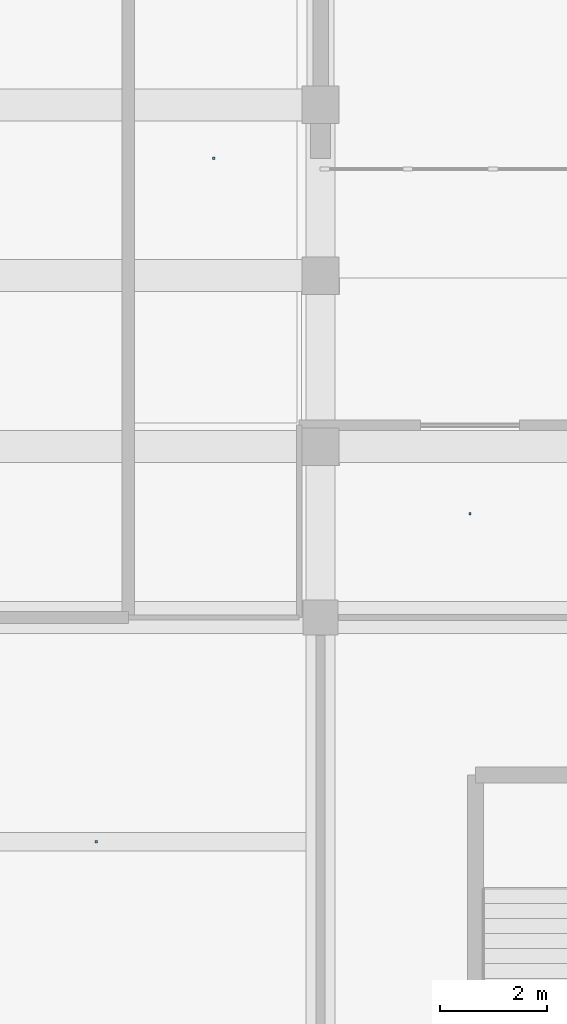
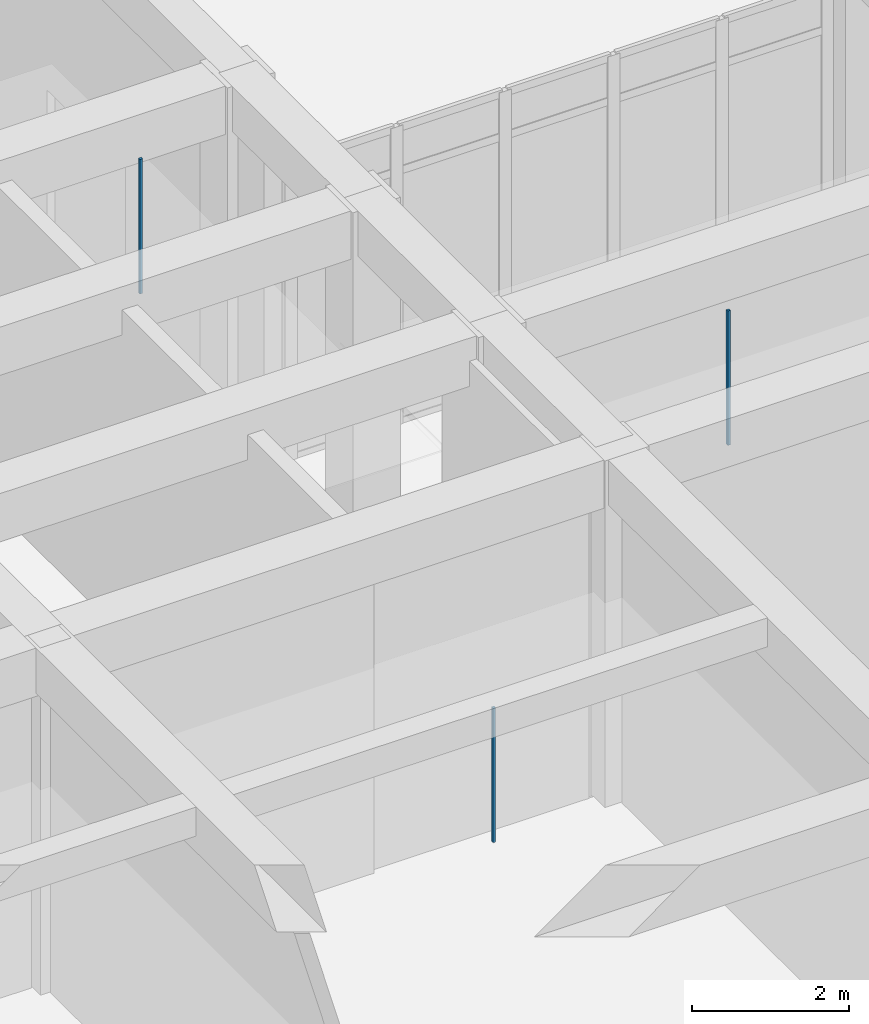
# One storey, part 113 of 167: 3 discrete accessories.
"""IFC4 building model written with IfcOpenShell, lengths in metres."""

from ifc_helpers import new_model, si_unit, direction, frame, origin, origin_2d, place, context, subcontext, project, spatial, rectangle, extrude, material, type_object, element, save


model = new_model("IFC4")

# Units and contexts
model_context = context("Model", 3, precision=1e-05, world=origin(), true_north=direction((0.0, 1.0)))
body_context = subcontext(model_context, "Body", "Model", "MODEL_VIEW")
ifc_project = project(units=[si_unit("LENGTHUNIT", "METRE"), si_unit("AREAUNIT", "SQUARE_METRE"), si_unit("VOLUMEUNIT", "CUBIC_METRE"), si_unit("PLANEANGLEUNIT", "RADIAN"), si_unit("MASSUNIT", "GRAM", prefix="KILO")], contexts=[model_context])

# Site, building, storey
site_placement = place(None, origin())
site = spatial("IfcSite", under=ifc_project, at=site_placement, CompositionType="ELEMENT")
building_placement = place(site_placement, origin())
building = spatial("IfcBuilding", under=site, at=building_placement, Name="Varncliffe General Hospital", CompositionType="ELEMENT")
storey_placement = place(building_placement, origin())
storey = spatial("IfcBuildingStorey", under=building, at=storey_placement, Name="L00", CompositionType="ELEMENT", Elevation=0.0)

# Discrete accessories
ifc_material = material(Name="Powder-coated hospital steel guardrail and handrail", Category="steel")
discrete_accessory_type = type_object("IfcDiscreteAccessoryType", Name="Suspended Ceiling Hanger Bracket CH01", PredefinedType="BRACKET", material=ifc_material)
for number, where, z_axis, x_axis, name in (
    (1, (65.199951171875, 108.199951171875, 3.18994140625), (0.0, 0.0, 1.0), (1.0, 0.0, 0.0), "L00 Suspended Ceiling Hanger 4"),
    (2, (63.0, 95.39990234375, 3.18994140625), (0.0, 0.0, 1.0), (1.0, 0.0, 0.0), "L00 Suspended Ceiling Hanger 53"),
    (3, (70.0, 101.54248046875, 3.18994140625), (0.0, 0.0, 1.0), (1.0, 0.0, 0.0), "L00 Suspended Ceiling Hanger 107"),
):
    element("IfcDiscreteAccessory", number, at=place(storey_placement, frame(where, z_axis=z_axis, x_axis=x_axis)), inside=storey, type_object=discrete_accessory_type, Name=name, PredefinedType="BRACKET", context=body_context, shape_type="SweptSolid", body=[
        extrude(rectangle(XDim=0.0400390625, YDim=0.0400390625, at=origin_2d()), origin(), (0.0, 0.0, 1.0), 2.090087890625),
    ])

save(model, "model.ifc")
